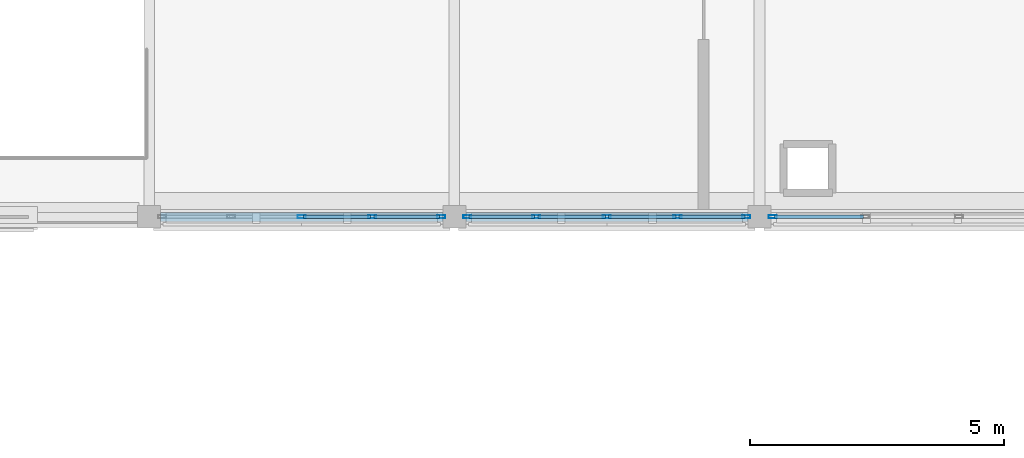
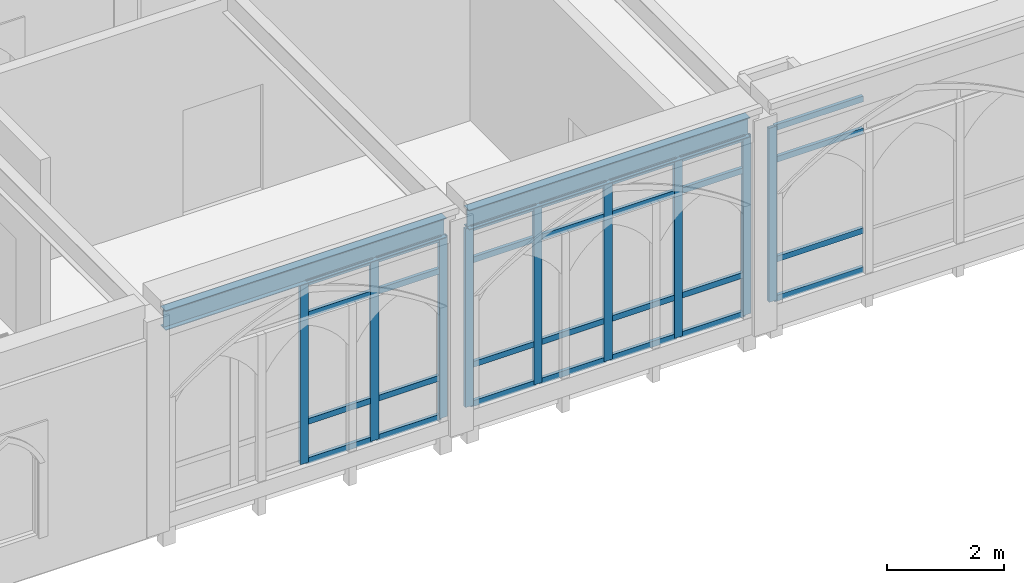
# One storey, part 11 of 59: 37 members, 2 beams, 3 elements without a shape of their own.
"""IFC4 building model written with IfcOpenShell, lengths in metres."""

import ifcopenshell
import ifcopenshell.guid

model = None  # the IFC model being written
_history = None  # IfcOwnerHistory: only IFC2X3 demands one
_inside = {}  # id of a spatial element -> (the spatial element, [elements in it])
_under = {}  # id of a project, library or spatial element -> (it, [spatial elements below it])
_declared = {}  # id of a project -> (the project, [libraries it declares])
_typed = {}  # id of a type object -> (the type object, [elements of that type])
_made_of = {}  # id of a material, layer set ... -> (it, [elements and type objects made of it])


def new_model(schema):
    """Start an empty IFC model of exactly this schema.

    Asked for "IFC4X3", IfcOpenShell would pick the latest addendum, in which some entities
    have other attributes; the version numbers below select the first issue.
    IFC2X3 requires an IfcOwnerHistory on every rooted entity: one is made here for all.
    """
    global model, _history
    if schema == "IFC4X3":
        model = ifcopenshell.file(schema_version=(4, 3, 0, 0))
    else:
        model = ifcopenshell.file(schema=schema)
    _inside.clear()
    _under.clear()
    _declared.clear()
    _typed.clear()
    _made_of.clear()
    _history = None
    if model.schema == "IFC2X3":
        org = make("IfcOrganization", Name="unknown")
        user = make(
            "IfcPersonAndOrganization",
            ThePerson=make("IfcPerson", FamilyName="unknown"),
            TheOrganization=org,
        )
        app = make(
            "IfcApplication",
            ApplicationDeveloper=org,
            Version="unknown",
            ApplicationFullName="unknown",
            ApplicationIdentifier="unknown",
        )
        _history = make(
            "IfcOwnerHistory",
            OwningUser=user,
            OwningApplication=app,
            ChangeAction="ADDED",
            CreationDate=0,
        )
    return model


def make(cls, **values):
    """One entity of the class cls with the attributes given. An attribute that is None is left unset."""
    return model.create_entity(
        cls, **{name: value for name, value in values.items() if value is not None}
    )


def rooted(cls, **values):
    """An entity with a GlobalId (a new one), such as an element, a storey or a relation."""
    return make(cls, GlobalId=ifcopenshell.guid.new(), OwnerHistory=_history, **values)


def si_unit(unit_type, name, prefix=None):
    """IfcSIUnit, for example si_unit("LENGTHUNIT", "METRE", prefix="MILLI")."""
    return make("IfcSIUnit", UnitType=unit_type, Prefix=prefix, Name=name)


def assignment(units):
    """IfcUnitAssignment: the units of a project."""
    return None if units is None else make("IfcUnitAssignment", Units=units)


def point(xyz):
    """IfcCartesianPoint."""
    return None if xyz is None else make("IfcCartesianPoint", Coordinates=xyz)


def direction(xyz):
    """IfcDirection."""
    return None if xyz is None else make("IfcDirection", DirectionRatios=xyz)


def frame(location, z_axis=None, x_axis=None):
    """IfcAxis2Placement3D, a coordinate frame: its origin and axes. An axis left out is left unset."""
    return make(
        "IfcAxis2Placement3D",
        Location=point(location),
        Axis=direction(z_axis),
        RefDirection=direction(x_axis),
    )


def frame_2d(location, x_axis=None):
    """IfcAxis2Placement2D, a coordinate frame in the plane: its origin and x axis."""
    return make(
        "IfcAxis2Placement2D", Location=point(location), RefDirection=direction(x_axis)
    )


def origin():
    """The frame at (0, 0, 0) with its axes left unset."""
    return frame((0.0, 0.0, 0.0))


def origin_2d():
    """The frame at (0, 0) in the plane with its x axis left unset."""
    return frame_2d((0.0, 0.0))


def place(relative_to, where):
    """IfcLocalPlacement: puts the frame where relative to a parent placement (None: the world)."""
    return make(
        "IfcLocalPlacement", PlacementRelTo=relative_to, RelativePlacement=where
    )


def context(
    kind, dimensions, precision=None, world=None, true_north=None, identifier=None
):
    """IfcGeometricRepresentationContext, for example the 3D "Model" context."""
    return make(
        "IfcGeometricRepresentationContext",
        ContextIdentifier=identifier,
        ContextType=kind,
        CoordinateSpaceDimension=dimensions,
        Precision=precision,
        WorldCoordinateSystem=world,
        TrueNorth=true_north,
    )


def subcontext(parent, identifier, kind, view, scale=None):
    """IfcGeometricRepresentationSubContext, for example "Body" below "Model"."""
    return make(
        "IfcGeometricRepresentationSubContext",
        ContextIdentifier=identifier,
        ContextType=kind,
        ParentContext=parent,
        TargetScale=scale,
        TargetView=view,
    )


def project(units=None, contexts=None):
    """IfcProject with its units and contexts."""
    return rooted(
        "IfcProject",
        Name="project",
        RepresentationContexts=contexts,
        UnitsInContext=assignment(units),
    )


def spatial(cls, under=None, at=None, **own):
    """A site, building, storey or space (cls), placed at a placement, below another one or the project."""
    s = rooted(cls, ObjectPlacement=at, **own)
    if under is not None:
        _under.setdefault(under.id(), (under, []))[1].append(s)
    return s


def profile(cls, at=None, kind="AREA", **sizes):
    """A parametric profile (cls). Its sizes go by their IFC names, for example OverallWidth=200.0."""
    return make(cls, ProfileType=kind, Position=at, **sizes)


def hollow_rectangle(**sizes):
    """IfcRectangleHollowProfileDef."""
    return profile("IfcRectangleHollowProfileDef", **sizes)


def i_section(**sizes):
    """IfcIShapeProfileDef."""
    return profile("IfcIShapeProfileDef", **sizes)


def extrude(swept, where, along, depth):
    """IfcExtrudedAreaSolid: the profile swept, set in the frame where, extruded along a direction by depth."""
    return make(
        "IfcExtrudedAreaSolid",
        SweptArea=swept,
        Position=where,
        ExtrudedDirection=direction(along),
        Depth=depth,
    )


def shape(context_of_items, identifier, shape_type, items):
    """IfcShapeRepresentation: the items that make up one representation, for example the "Body"."""
    return make(
        "IfcShapeRepresentation",
        ContextOfItems=context_of_items,
        RepresentationIdentifier=identifier,
        RepresentationType=shape_type,
        Items=items,
    )


def material(Name=None, Category=None):
    """IfcMaterial."""
    return make("IfcMaterial", Name=Name, Category=Category)


def layer(
    of_material, thickness, ventilated=None, Name=None, Category=None, Priority=None
):
    """IfcMaterialLayer: one layer of a wall or slab, of a material (None: an air gap)."""
    return make(
        "IfcMaterialLayer",
        Material=of_material,
        LayerThickness=thickness,
        IsVentilated=ventilated,
        Name=Name,
        Category=Category,
        Priority=Priority,
    )


def layer_set(layers, Name=None):
    """IfcMaterialLayerSet."""
    return make("IfcMaterialLayerSet", MaterialLayers=layers, LayerSetName=Name)


def material_profile(
    of_material, cross_section, Name=None, Category=None, Priority=None
):
    """IfcMaterialProfile: a cross section and its material."""
    return make(
        "IfcMaterialProfile",
        Name=Name,
        Material=of_material,
        Profile=cross_section,
        Priority=Priority,
        Category=Category,
    )


def profile_set(profiles, Name=None, composite=None):
    """IfcMaterialProfileSet."""
    return make(
        "IfcMaterialProfileSet",
        Name=Name,
        MaterialProfiles=profiles,
        CompositeProfile=composite,
    )


def made_of(thing, what):
    """Note that an element or type object is made of a material, layer set ...; save() writes the relation."""
    if what is not None:
        _made_of.setdefault(what.id(), (what, []))[1].append(thing)
    return thing


def type_object(cls, material=None, **own):
    """A type object (cls), such as IfcWallType, which elements share."""
    return made_of(rooted(cls, **own), material)


def element(
    cls,
    number,
    at=None,
    inside=None,
    cuts=None,
    type_object=None,
    material=None,
    context=None,
    identifier="Body",
    shape_type=None,
    held_by="IfcProductDefinitionShape",
    body=None,
    shapes=None,
    **own,
):
    """One element of the class cls, such as IfcWall. Its Tag is "e" and its number.

    at: its placement. inside: the storey or other place that contains it. cuts: it is an
    opening in that element (IfcRelVoidsElement). A single representation is given by context,
    identifier, shape_type and body (its items); several are given by shapes. held_by: the class
    of the entity that holds the representations. save() writes the other relations.
    """
    e = rooted(cls, Tag="e%d" % number, ObjectPlacement=at, **own)
    if body is not None:
        shapes = [shape(context, identifier, shape_type, body)]
    if shapes is not None:
        e.Representation = make(held_by, Representations=shapes)
    if inside is not None:
        _inside.setdefault(inside.id(), (inside, []))[1].append(e)
    if cuts is not None:
        rooted(
            "IfcRelVoidsElement", RelatingBuildingElement=cuts, RelatedOpeningElement=e
        )
    if type_object is not None:
        _typed.setdefault(type_object.id(), (type_object, []))[1].append(e)
    return made_of(e, material)


def aggregate(whole, parts):
    """IfcRelAggregates: a whole, such as a stair, and the parts it consists of."""
    return rooted("IfcRelAggregates", RelatingObject=whole, RelatedObjects=parts)


def save(model, path):
    """Write the relations noted so far, then the file.

    IfcRelAggregates (storeys below a building ...), IfcRelContainedInSpatialStructure (elements
    in a storey), IfcRelDefinesByType, IfcRelAssociatesMaterial and IfcRelDeclares: one each for
    every whole, place, type object, material and project.
    """
    for whole, parts in _under.values():
        aggregate(whole, parts)
    for where, things in _inside.values():
        rooted(
            "IfcRelContainedInSpatialStructure",
            RelatedElements=things,
            RelatingStructure=where,
        )
    for kind, things in _typed.values():
        rooted("IfcRelDefinesByType", RelatedObjects=things, RelatingType=kind)
    for what, things in _made_of.values():
        rooted("IfcRelAssociatesMaterial", RelatedObjects=things, RelatingMaterial=what)
    for by, libraries in _declared.values():
        rooted("IfcRelDeclares", RelatingContext=by, RelatedDefinitions=libraries)
    model.write(path)


model = new_model("IFC4")

# Units and contexts
model_context = context("Model", 3, precision=1e-05, world=origin(), true_north=direction((0.0, 1.0)))
body_context = subcontext(model_context, "Body", "Model", "MODEL_VIEW")
ifc_project = project(units=[si_unit("LENGTHUNIT", "METRE"), si_unit("AREAUNIT", "SQUARE_METRE"), si_unit("VOLUMEUNIT", "CUBIC_METRE"), si_unit("PLANEANGLEUNIT", "RADIAN"), si_unit("MASSUNIT", "GRAM", prefix="KILO")], contexts=[model_context])

# Site, building, storey
site_placement = place(None, origin())
site = spatial("IfcSite", under=ifc_project, at=site_placement, CompositionType="ELEMENT")
building_placement = place(site_placement, origin())
building = spatial("IfcBuilding", under=site, at=building_placement, Name="Cumevento Cable Car Station", CompositionType="ELEMENT")
storey_placement = place(building_placement, frame((0.0, 0.0, 18.0)))
storey = spatial("IfcBuildingStorey", under=building, at=storey_placement, Name="L05", CompositionType="ELEMENT", Elevation=18.0)

# Curtain wall, members
ifc_material_1 = material(Name="Anodised Bronze Aluminium AW-6063-T6", Category="aluminium")
ifc_layer_1 = layer(ifc_material_1, 0.22607421875)
ifc_layer_set_1 = layer_set([ifc_layer_1], Name="Anodised Bronze Aluminium AW-6063-T6")
curtain_wall_type_1 = type_object("IfcCurtainWallType", Name="Lancet Curtain Wall CW-12 1490", PredefinedType="NOTDEFINED", material=ifc_layer_set_1)
curtain_wall_1_placement = place(storey_placement, origin())
curtain_wall_1 = element("IfcCurtainWall", 1, at=curtain_wall_1_placement, inside=storey, type_object=curtain_wall_type_1, Name="Lancet Curtain Wall CW-12 L05 #203", PredefinedType="NOTDEFINED")
ifc_material_2 = material(Name="Anodised Bronze Aluminium AW-6063-T6", Category="aluminium")
ifc_material_profile_1 = material_profile(ifc_material_2, hollow_rectangle(XDim=0.06494140625, YDim=0.159912109375, WallThickness=0.00390625, at=origin_2d()), Name="ALUM65x160x4")
ifc_profile_set_1 = profile_set([ifc_material_profile_1], Name="Anodised Bronze Aluminium AW-6063-T6")
member_type_1 = type_object("IfcMemberType", Name="Curtain Mullion CWM-01 ALUM65x160x4", PredefinedType="MULLION", material=ifc_profile_set_1)
member_1_placement = place(storey_placement, frame((33.742431640625, 45.0, 0.31005859375), z_axis=(0.0, 0.0, 1.0), x_axis=(0.0, -1.0, 0.0)))
member_1 = element("IfcMember", 2, at=member_1_placement, type_object=member_type_1, Name="CW-12 mullion 1", PredefinedType="MULLION", context=body_context, shape_type="SweptSolid", body=[
    extrude(hollow_rectangle(XDim=0.06494140625, YDim=0.159912109375, WallThickness=0.00390625, at=origin_2d()), origin(), (0.0, 0.0, 1.0), 3.782958984375),
])
member_2_placement = place(storey_placement, frame((32.387451171875, 45.0, 0.31005859375), z_axis=(0.0, 0.0, 1.0), x_axis=(0.0, -1.0, 0.0)))
member_2 = element("IfcMember", 3, at=member_2_placement, type_object=member_type_1, Name="CW-12 mullion 2", PredefinedType="MULLION", context=body_context, shape_type="SweptSolid", body=[
    extrude(hollow_rectangle(XDim=0.06494140625, YDim=0.159912109375, WallThickness=0.00390625, at=origin_2d()), origin(), (0.0, 0.0, 1.0), 3.782958984375),
])
member_3_placement = place(storey_placement, frame((31.0, 45.0, 0.31005859375), z_axis=(0.0, 0.0, 1.0), x_axis=(0.0, -1.0, 0.0)))
member_3 = element("IfcMember", 4, at=member_3_placement, type_object=member_type_1, Name="CW-12 mullion 3", PredefinedType="MULLION", context=body_context, shape_type="SweptSolid", body=[
    extrude(hollow_rectangle(XDim=0.06494140625, YDim=0.159912109375, WallThickness=0.00390625, at=origin_2d()), origin(), (0.0, 0.0, 1.0), 3.782958984375),
])

ifc_material_3 = material(Name="Anodised Bronze Aluminium AW-6063-T6", Category="aluminium")
ifc_layer_2 = layer(ifc_material_3, 0.23193359375)
ifc_layer_set_2 = layer_set([ifc_layer_2], Name="Anodised Bronze Aluminium AW-6063-T6")
curtain_wall_type_2 = type_object("IfcCurtainWallType", Name="Lancet Curtain Wall CW-13 1530", PredefinedType="NOTDEFINED", material=ifc_layer_set_2)
curtain_wall_2_placement = place(storey_placement, origin())
curtain_wall_2 = element("IfcCurtainWall", 5, at=curtain_wall_2_placement, inside=storey, type_object=curtain_wall_type_2, Name="Lancet Curtain Wall CW-13 L05 #204", PredefinedType="NOTDEFINED")
member_4_placement = place(storey_placement, frame((39.742431640625, 45.0, 0.360107421875), z_axis=(0.0, 0.0, 1.0), x_axis=(0.0, -1.0, 0.0)))
member_4 = element("IfcMember", 6, at=member_4_placement, type_object=member_type_1, Name="CW-13 mullion 1", PredefinedType="MULLION", context=body_context, shape_type="SweptSolid", body=[
    extrude(hollow_rectangle(XDim=0.06494140625, YDim=0.159912109375, WallThickness=0.00390625, at=origin_2d()), origin(), (0.0, 0.0, 1.0), 3.73291015625),
])
member_5_placement = place(storey_placement, frame((38.387451171875, 45.0, 0.360107421875), z_axis=(0.0, 0.0, 1.0), x_axis=(0.0, -1.0, 0.0)))
member_5 = element("IfcMember", 7, at=member_5_placement, type_object=member_type_1, Name="CW-13 mullion 2", PredefinedType="MULLION", context=body_context, shape_type="SweptSolid", body=[
    extrude(hollow_rectangle(XDim=0.06494140625, YDim=0.159912109375, WallThickness=0.00390625, at=origin_2d()), origin(), (0.0, 0.0, 1.0), 3.73291015625),
])
member_6_placement = place(storey_placement, frame((37.0, 45.0, 0.360107421875), z_axis=(0.0, 0.0, 1.0), x_axis=(0.0, -1.0, 0.0)))
member_6 = element("IfcMember", 8, at=member_6_placement, type_object=member_type_1, Name="CW-13 mullion 3", PredefinedType="MULLION", context=body_context, shape_type="SweptSolid", body=[
    extrude(hollow_rectangle(XDim=0.06494140625, YDim=0.159912109375, WallThickness=0.00390625, at=origin_2d()), origin(), (0.0, 0.0, 1.0), 3.73291015625),
])
member_7_placement = place(storey_placement, frame((35.612548828125, 45.0, 0.360107421875), z_axis=(0.0, 0.0, 1.0), x_axis=(0.0, -1.0, 0.0)))
member_7 = element("IfcMember", 9, at=member_7_placement, type_object=member_type_1, Name="CW-13 mullion 4", PredefinedType="MULLION", context=body_context, shape_type="SweptSolid", body=[
    extrude(hollow_rectangle(XDim=0.06494140625, YDim=0.159912109375, WallThickness=0.00390625, at=origin_2d()), origin(), (0.0, 0.0, 1.0), 3.73291015625),
])
member_8_placement = place(storey_placement, frame((34.257568359375, 45.0, 0.360107421875), z_axis=(0.0, 0.0, 1.0), x_axis=(0.0, -1.0, 0.0)))
member_8 = element("IfcMember", 10, at=member_8_placement, type_object=member_type_1, Name="CW-13 mullion 5", PredefinedType="MULLION", context=body_context, shape_type="SweptSolid", body=[
    extrude(hollow_rectangle(XDim=0.06494140625, YDim=0.159912109375, WallThickness=0.00390625, at=origin_2d()), origin(), (0.0, 0.0, 1.0), 3.73291015625),
])

# Curtain wall, member
ifc_material_4 = material(Name="Anodised Bronze Aluminium AW-6063-T6", Category="aluminium")
ifc_layer_3 = layer(ifc_material_4, 0.243896484375)
ifc_layer_set_3 = layer_set([ifc_layer_3], Name="Anodised Bronze Aluminium AW-6063-T6")
curtain_wall_type_3 = type_object("IfcCurtainWallType", Name="Lancet Curtain Wall CW-15 1610", PredefinedType="NOTDEFINED", material=ifc_layer_set_3)
curtain_wall_3_placement = place(storey_placement, origin())
curtain_wall_3 = element("IfcCurtainWall", 11, at=curtain_wall_3_placement, inside=storey, type_object=curtain_wall_type_3, Name="Lancet Curtain Wall CW-15 L05 #206", PredefinedType="NOTDEFINED")
member_9_placement = place(storey_placement, frame((40.257568359375, 45.0, 0.4599609375), z_axis=(0.0, 0.0, 1.0), x_axis=(0.0, -1.0, 0.0)))
member_9 = element("IfcMember", 12, at=member_9_placement, type_object=member_type_1, Name="CW-15 mullion 4", PredefinedType="MULLION", context=body_context, shape_type="SweptSolid", body=[
    extrude(hollow_rectangle(XDim=0.06494140625, YDim=0.159912109375, WallThickness=0.00390625, at=origin_2d()), origin(), (0.0, 0.0, 1.0), 3.633056640625),
])

# Member
ifc_material_5 = material(Name="Anodised Bronze Aluminium AW-6063-T6", Category="aluminium")
ifc_material_profile_2 = material_profile(ifc_material_5, hollow_rectangle(XDim=0.06494140625, YDim=0.1201171875, WallThickness=0.00390625, at=origin_2d()), Name="ALUT65x120x4")
ifc_profile_set_2 = profile_set([ifc_material_profile_2], Name="Anodised Bronze Aluminium AW-6063-T6")
member_type_2 = type_object("IfcMemberType", Name="Curtain Transom CWT-01 ALUT65x120x4", PredefinedType="USERDEFINED", material=ifc_profile_set_2)
member_10_placement = place(storey_placement, frame((33.7099609375, 45.0, 0.342529296875), z_axis=(-1.0, 0.0, 0.0), x_axis=(0.0, -1.0, 0.0)))
member_10 = element("IfcMember", 13, at=member_10_placement, type_object=member_type_2, Name="CW-12 transom 1.1", ObjectType="TRANSOM", PredefinedType="USERDEFINED", context=body_context, shape_type="SweptSolid", body=[
    extrude(hollow_rectangle(XDim=0.06494140625, YDim=0.1201171875, WallThickness=0.00390625, at=origin_2d()), origin(), (0.0, 0.0, 1.0), 1.2900390625),
])

member_11_placement = place(storey_placement, frame((33.7099609375, 45.0, 1.159912109375), z_axis=(-1.0, 0.0, 0.0), x_axis=(0.0, -1.0, 0.0)))
member_11 = element("IfcMember", 14, at=member_11_placement, type_object=member_type_2, Name="CW-12 transom 1.2", ObjectType="TRANSOM", PredefinedType="USERDEFINED", context=body_context, shape_type="SweptSolid", body=[
    extrude(hollow_rectangle(XDim=0.06494140625, YDim=0.1201171875, WallThickness=0.00390625, at=origin_2d()), origin(), (0.0, 0.0, 1.0), 1.2900390625),
])

member_12_placement = place(storey_placement, frame((33.7099609375, 45.0, 3.39306640625), z_axis=(-1.0, 0.0, 0.0), x_axis=(0.0, -1.0, 0.0)))
member_12 = element("IfcMember", 15, at=member_12_placement, type_object=member_type_2, Name="CW-12 transom 1.3", ObjectType="TRANSOM", PredefinedType="USERDEFINED", context=body_context, shape_type="SweptSolid", body=[
    extrude(hollow_rectangle(XDim=0.06494140625, YDim=0.1201171875, WallThickness=0.00390625, at=origin_2d()), origin(), (0.0, 0.0, 1.0), 1.2900390625),
])

member_13_placement = place(storey_placement, frame((33.7099609375, 45.0, 4.060546875), z_axis=(-1.0, 0.0, 0.0), x_axis=(0.0, -1.0, 0.0)))
member_13 = element("IfcMember", 16, at=member_13_placement, type_object=member_type_2, Name="CW-12 transom 1.4", ObjectType="TRANSOM", PredefinedType="USERDEFINED", context=body_context, shape_type="SweptSolid", body=[
    extrude(hollow_rectangle(XDim=0.06494140625, YDim=0.1201171875, WallThickness=0.00390625, at=origin_2d()), origin(), (0.0, 0.0, 1.0), 1.2900390625),
])

member_14_placement = place(storey_placement, frame((32.35498046875, 45.0, 0.342529296875), z_axis=(-1.0, 0.0, 0.0), x_axis=(0.0, -1.0, 0.0)))
member_14 = element("IfcMember", 17, at=member_14_placement, type_object=member_type_2, Name="CW-12 transom 2.1", ObjectType="TRANSOM", PredefinedType="USERDEFINED", context=body_context, shape_type="SweptSolid", body=[
    extrude(hollow_rectangle(XDim=0.06494140625, YDim=0.1201171875, WallThickness=0.00390625, at=origin_2d()), origin(), (0.0, 0.0, 1.0), 1.322509765625),
])

member_15_placement = place(storey_placement, frame((32.35498046875, 45.0, 1.159912109375), z_axis=(-1.0, 0.0, 0.0), x_axis=(0.0, -1.0, 0.0)))
member_15 = element("IfcMember", 18, at=member_15_placement, type_object=member_type_2, Name="CW-12 transom 2.2", ObjectType="TRANSOM", PredefinedType="USERDEFINED", context=body_context, shape_type="SweptSolid", body=[
    extrude(hollow_rectangle(XDim=0.06494140625, YDim=0.1201171875, WallThickness=0.00390625, at=origin_2d()), origin(), (0.0, 0.0, 1.0), 1.322509765625),
])

member_16_placement = place(storey_placement, frame((32.35498046875, 45.0, 3.39306640625), z_axis=(-1.0, 0.0, 0.0), x_axis=(0.0, -1.0, 0.0)))
member_16 = element("IfcMember", 19, at=member_16_placement, type_object=member_type_2, Name="CW-12 transom 2.3", ObjectType="TRANSOM", PredefinedType="USERDEFINED", context=body_context, shape_type="SweptSolid", body=[
    extrude(hollow_rectangle(XDim=0.06494140625, YDim=0.1201171875, WallThickness=0.00390625, at=origin_2d()), origin(), (0.0, 0.0, 1.0), 1.322509765625),
])

member_17_placement = place(storey_placement, frame((32.35498046875, 45.0, 4.060546875), z_axis=(-1.0, 0.0, 0.0), x_axis=(0.0, -1.0, 0.0)))
member_17 = element("IfcMember", 20, at=member_17_placement, type_object=member_type_2, Name="CW-12 transom 2.4", ObjectType="TRANSOM", PredefinedType="USERDEFINED", context=body_context, shape_type="SweptSolid", body=[
    extrude(hollow_rectangle(XDim=0.06494140625, YDim=0.1201171875, WallThickness=0.00390625, at=origin_2d()), origin(), (0.0, 0.0, 1.0), 1.322509765625),
])

aggregate(curtain_wall_1, [member_1, member_2, member_3, member_10, member_11, member_12, member_13, member_14, member_15, member_16, member_17])

member_18_placement = place(storey_placement, frame((39.7099609375, 45.0, 0.392578125), z_axis=(-1.0, 0.0, 0.0), x_axis=(0.0, -1.0, 0.0)))
member_18 = element("IfcMember", 21, at=member_18_placement, type_object=member_type_2, Name="CW-13 transom 1.1", ObjectType="TRANSOM", PredefinedType="USERDEFINED", context=body_context, shape_type="SweptSolid", body=[
    extrude(hollow_rectangle(XDim=0.06494140625, YDim=0.1201171875, WallThickness=0.00390625, at=origin_2d()), origin(), (0.0, 0.0, 1.0), 1.2900390625),
])

member_19_placement = place(storey_placement, frame((39.7099609375, 45.0, 1.2099609375), z_axis=(-1.0, 0.0, 0.0), x_axis=(0.0, -1.0, 0.0)))
member_19 = element("IfcMember", 22, at=member_19_placement, type_object=member_type_2, Name="CW-13 transom 1.2", ObjectType="TRANSOM", PredefinedType="USERDEFINED", context=body_context, shape_type="SweptSolid", body=[
    extrude(hollow_rectangle(XDim=0.06494140625, YDim=0.1201171875, WallThickness=0.00390625, at=origin_2d()), origin(), (0.0, 0.0, 1.0), 1.2900390625),
])

member_20_placement = place(storey_placement, frame((39.7099609375, 45.0, 3.39306640625), z_axis=(-1.0, 0.0, 0.0), x_axis=(0.0, -1.0, 0.0)))
member_20 = element("IfcMember", 23, at=member_20_placement, type_object=member_type_2, Name="CW-13 transom 1.3", ObjectType="TRANSOM", PredefinedType="USERDEFINED", context=body_context, shape_type="SweptSolid", body=[
    extrude(hollow_rectangle(XDim=0.06494140625, YDim=0.1201171875, WallThickness=0.00390625, at=origin_2d()), origin(), (0.0, 0.0, 1.0), 1.2900390625),
])

member_21_placement = place(storey_placement, frame((39.7099609375, 45.0, 4.060546875), z_axis=(-1.0, 0.0, 0.0), x_axis=(0.0, -1.0, 0.0)))
member_21 = element("IfcMember", 24, at=member_21_placement, type_object=member_type_2, Name="CW-13 transom 1.4", ObjectType="TRANSOM", PredefinedType="USERDEFINED", context=body_context, shape_type="SweptSolid", body=[
    extrude(hollow_rectangle(XDim=0.06494140625, YDim=0.1201171875, WallThickness=0.00390625, at=origin_2d()), origin(), (0.0, 0.0, 1.0), 1.2900390625),
])

member_22_placement = place(storey_placement, frame((38.35498046875, 45.0, 0.392578125), z_axis=(-1.0, 0.0, 0.0), x_axis=(0.0, -1.0, 0.0)))
member_22 = element("IfcMember", 25, at=member_22_placement, type_object=member_type_2, Name="CW-13 transom 2.1", ObjectType="TRANSOM", PredefinedType="USERDEFINED", context=body_context, shape_type="SweptSolid", body=[
    extrude(hollow_rectangle(XDim=0.06494140625, YDim=0.1201171875, WallThickness=0.00390625, at=origin_2d()), origin(), (0.0, 0.0, 1.0), 1.322509765625),
])

member_23_placement = place(storey_placement, frame((38.35498046875, 45.0, 1.2099609375), z_axis=(-1.0, 0.0, 0.0), x_axis=(0.0, -1.0, 0.0)))
member_23 = element("IfcMember", 26, at=member_23_placement, type_object=member_type_2, Name="CW-13 transom 2.2", ObjectType="TRANSOM", PredefinedType="USERDEFINED", context=body_context, shape_type="SweptSolid", body=[
    extrude(hollow_rectangle(XDim=0.06494140625, YDim=0.1201171875, WallThickness=0.00390625, at=origin_2d()), origin(), (0.0, 0.0, 1.0), 1.322509765625),
])

member_24_placement = place(storey_placement, frame((38.35498046875, 45.0, 3.39306640625), z_axis=(-1.0, 0.0, 0.0), x_axis=(0.0, -1.0, 0.0)))
member_24 = element("IfcMember", 27, at=member_24_placement, type_object=member_type_2, Name="CW-13 transom 2.3", ObjectType="TRANSOM", PredefinedType="USERDEFINED", context=body_context, shape_type="SweptSolid", body=[
    extrude(hollow_rectangle(XDim=0.06494140625, YDim=0.1201171875, WallThickness=0.00390625, at=origin_2d()), origin(), (0.0, 0.0, 1.0), 1.322509765625),
])

member_25_placement = place(storey_placement, frame((38.35498046875, 45.0, 4.060546875), z_axis=(-1.0, 0.0, 0.0), x_axis=(0.0, -1.0, 0.0)))
member_25 = element("IfcMember", 28, at=member_25_placement, type_object=member_type_2, Name="CW-13 transom 2.4", ObjectType="TRANSOM", PredefinedType="USERDEFINED", context=body_context, shape_type="SweptSolid", body=[
    extrude(hollow_rectangle(XDim=0.06494140625, YDim=0.1201171875, WallThickness=0.00390625, at=origin_2d()), origin(), (0.0, 0.0, 1.0), 1.322509765625),
])

member_26_placement = place(storey_placement, frame((36.967529296875, 45.0, 0.392578125), z_axis=(-1.0, 0.0, 0.0), x_axis=(0.0, -1.0, 0.0)))
member_26 = element("IfcMember", 29, at=member_26_placement, type_object=member_type_2, Name="CW-13 transom 3.1", ObjectType="TRANSOM", PredefinedType="USERDEFINED", context=body_context, shape_type="SweptSolid", body=[
    extrude(hollow_rectangle(XDim=0.06494140625, YDim=0.1201171875, WallThickness=0.00390625, at=origin_2d()), origin(), (0.0, 0.0, 1.0), 1.322509765625),
])

member_27_placement = place(storey_placement, frame((36.967529296875, 45.0, 1.2099609375), z_axis=(-1.0, 0.0, 0.0), x_axis=(0.0, -1.0, 0.0)))
member_27 = element("IfcMember", 30, at=member_27_placement, type_object=member_type_2, Name="CW-13 transom 3.2", ObjectType="TRANSOM", PredefinedType="USERDEFINED", context=body_context, shape_type="SweptSolid", body=[
    extrude(hollow_rectangle(XDim=0.06494140625, YDim=0.1201171875, WallThickness=0.00390625, at=origin_2d()), origin(), (0.0, 0.0, 1.0), 1.322509765625),
])

member_28_placement = place(storey_placement, frame((36.967529296875, 45.0, 3.39306640625), z_axis=(-1.0, 0.0, 0.0), x_axis=(0.0, -1.0, 0.0)))
member_28 = element("IfcMember", 31, at=member_28_placement, type_object=member_type_2, Name="CW-13 transom 3.3", ObjectType="TRANSOM", PredefinedType="USERDEFINED", context=body_context, shape_type="SweptSolid", body=[
    extrude(hollow_rectangle(XDim=0.06494140625, YDim=0.1201171875, WallThickness=0.00390625, at=origin_2d()), origin(), (0.0, 0.0, 1.0), 1.322509765625),
])

member_29_placement = place(storey_placement, frame((36.967529296875, 45.0, 4.060546875), z_axis=(-1.0, 0.0, 0.0), x_axis=(0.0, -1.0, 0.0)))
member_29 = element("IfcMember", 32, at=member_29_placement, type_object=member_type_2, Name="CW-13 transom 3.4", ObjectType="TRANSOM", PredefinedType="USERDEFINED", context=body_context, shape_type="SweptSolid", body=[
    extrude(hollow_rectangle(XDim=0.06494140625, YDim=0.1201171875, WallThickness=0.00390625, at=origin_2d()), origin(), (0.0, 0.0, 1.0), 1.322509765625),
])

member_30_placement = place(storey_placement, frame((35.580078125, 45.0, 0.392578125), z_axis=(-1.0, 0.0, 0.0), x_axis=(0.0, -1.0, 0.0)))
member_30 = element("IfcMember", 33, at=member_30_placement, type_object=member_type_2, Name="CW-13 transom 4.1", ObjectType="TRANSOM", PredefinedType="USERDEFINED", context=body_context, shape_type="SweptSolid", body=[
    extrude(hollow_rectangle(XDim=0.06494140625, YDim=0.1201171875, WallThickness=0.00390625, at=origin_2d()), origin(), (0.0, 0.0, 1.0), 1.2900390625),
])

member_31_placement = place(storey_placement, frame((35.580078125, 45.0, 1.2099609375), z_axis=(-1.0, 0.0, 0.0), x_axis=(0.0, -1.0, 0.0)))
member_31 = element("IfcMember", 34, at=member_31_placement, type_object=member_type_2, Name="CW-13 transom 4.2", ObjectType="TRANSOM", PredefinedType="USERDEFINED", context=body_context, shape_type="SweptSolid", body=[
    extrude(hollow_rectangle(XDim=0.06494140625, YDim=0.1201171875, WallThickness=0.00390625, at=origin_2d()), origin(), (0.0, 0.0, 1.0), 1.2900390625),
])

member_32_placement = place(storey_placement, frame((35.580078125, 45.0, 3.39306640625), z_axis=(-1.0, 0.0, 0.0), x_axis=(0.0, -1.0, 0.0)))
member_32 = element("IfcMember", 35, at=member_32_placement, type_object=member_type_2, Name="CW-13 transom 4.3", ObjectType="TRANSOM", PredefinedType="USERDEFINED", context=body_context, shape_type="SweptSolid", body=[
    extrude(hollow_rectangle(XDim=0.06494140625, YDim=0.1201171875, WallThickness=0.00390625, at=origin_2d()), origin(), (0.0, 0.0, 1.0), 1.2900390625),
])

member_33_placement = place(storey_placement, frame((35.580078125, 45.0, 4.060546875), z_axis=(-1.0, 0.0, 0.0), x_axis=(0.0, -1.0, 0.0)))
member_33 = element("IfcMember", 36, at=member_33_placement, type_object=member_type_2, Name="CW-13 transom 4.4", ObjectType="TRANSOM", PredefinedType="USERDEFINED", context=body_context, shape_type="SweptSolid", body=[
    extrude(hollow_rectangle(XDim=0.06494140625, YDim=0.1201171875, WallThickness=0.00390625, at=origin_2d()), origin(), (0.0, 0.0, 1.0), 1.2900390625),
])

aggregate(curtain_wall_2, [member_4, member_5, member_6, member_7, member_8, member_18, member_19, member_20, member_21, member_22, member_23, member_24, member_25, member_26, member_27, member_28, member_29, member_30, member_31, member_32, member_33])

member_34_placement = place(storey_placement, frame((42.04248046875, 45.0, 0.492431640625), z_axis=(-1.0, 0.0, 0.0), x_axis=(0.0, -1.0, 0.0)))
member_34 = element("IfcMember", 37, at=member_34_placement, type_object=member_type_2, Name="CW-15 transom 3.1", ObjectType="TRANSOM", PredefinedType="USERDEFINED", context=body_context, shape_type="SweptSolid", body=[
    extrude(hollow_rectangle(XDim=0.06494140625, YDim=0.1201171875, WallThickness=0.00390625, at=origin_2d()), origin(), (0.0, 0.0, 1.0), 1.75244140625),
])

member_35_placement = place(storey_placement, frame((42.04248046875, 45.0, 1.31005859375), z_axis=(-1.0, 0.0, 0.0), x_axis=(0.0, -1.0, 0.0)))
member_35 = element("IfcMember", 38, at=member_35_placement, type_object=member_type_2, Name="CW-15 transom 3.2", ObjectType="TRANSOM", PredefinedType="USERDEFINED", context=body_context, shape_type="SweptSolid", body=[
    extrude(hollow_rectangle(XDim=0.06494140625, YDim=0.1201171875, WallThickness=0.00390625, at=origin_2d()), origin(), (0.0, 0.0, 1.0), 1.75244140625),
])

member_36_placement = place(storey_placement, frame((42.04248046875, 45.0, 3.39306640625), z_axis=(-1.0, 0.0, 0.0), x_axis=(0.0, -1.0, 0.0)))
member_36 = element("IfcMember", 39, at=member_36_placement, type_object=member_type_2, Name="CW-15 transom 3.3", ObjectType="TRANSOM", PredefinedType="USERDEFINED", context=body_context, shape_type="SweptSolid", body=[
    extrude(hollow_rectangle(XDim=0.06494140625, YDim=0.1201171875, WallThickness=0.00390625, at=origin_2d()), origin(), (0.0, 0.0, 1.0), 1.75244140625),
])

member_37_placement = place(storey_placement, frame((42.04248046875, 45.0, 4.060546875), z_axis=(-1.0, 0.0, 0.0), x_axis=(0.0, -1.0, 0.0)))
member_37 = element("IfcMember", 40, at=member_37_placement, type_object=member_type_2, Name="CW-15 transom 3.4", ObjectType="TRANSOM", PredefinedType="USERDEFINED", context=body_context, shape_type="SweptSolid", body=[
    extrude(hollow_rectangle(XDim=0.06494140625, YDim=0.1201171875, WallThickness=0.00390625, at=origin_2d()), origin(), (0.0, 0.0, 1.0), 1.75244140625),
])

aggregate(curtain_wall_3, [member_9, member_34, member_35, member_36, member_37])

# Beams
ifc_material_6 = material(Name="Steel ASTM A572 Grade 50", Category="steel")
ifc_material_profile_3 = material_profile(ifc_material_6, i_section(OverallWidth=0.177978515625, OverallDepth=0.406982421875, WebThickness=0.0078125, FlangeThickness=0.0126953125, at=origin_2d()), Name="W410x60.0")
ifc_profile_set_3 = profile_set([ifc_material_profile_3], Name="Steel ASTM A572 Grade 50")
beam_type = type_object("IfcBeamType", Name="Structural Spandrel SP-01 W410x60.0", PredefinedType="SPANDREL", material=ifc_profile_set_3)
for number, where, z_axis, x_axis, name in (
    (41, (28.22509765625, 45.0, 4.29638671875), (1.0, 0.0, 0.0), (0.0, 1.0, 0.0), "Beam SP-01 L05 #1591"),
    (42, (34.22509765625, 45.0, 4.29638671875), (1.0, 0.0, 0.0), (0.0, 1.0, 0.0), "Beam SP-01 L05 #1592"),
):
    element("IfcBeam", number, at=place(storey_placement, frame(where, z_axis=z_axis, x_axis=x_axis)), inside=storey, type_object=beam_type, Name=name, PredefinedType="SPANDREL", context=body_context, shape_type="SweptSolid", body=[
        extrude(i_section(OverallWidth=0.177978515625, OverallDepth=0.406982421875, WebThickness=0.0078125, FlangeThickness=0.0126953125, at=origin_2d()), origin(), (0.0, 0.0, 1.0), 5.5498046875),
    ])

save(model, "model.ifc")
